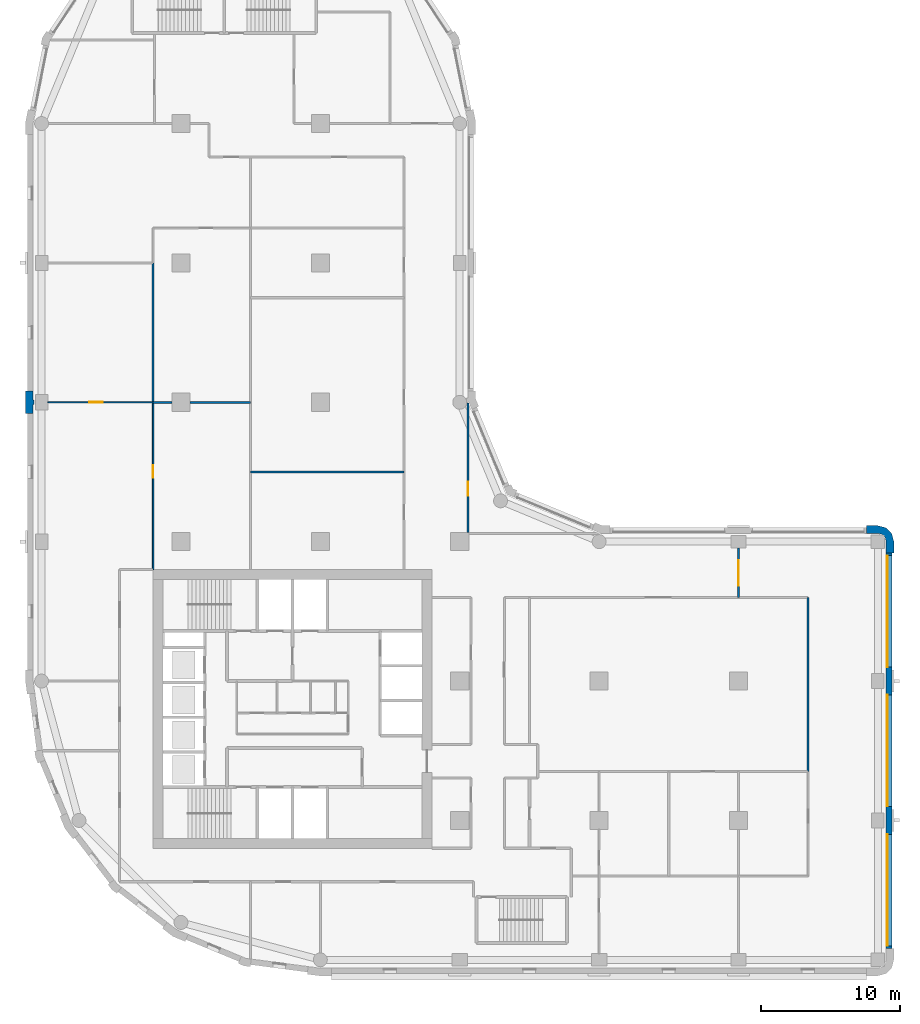
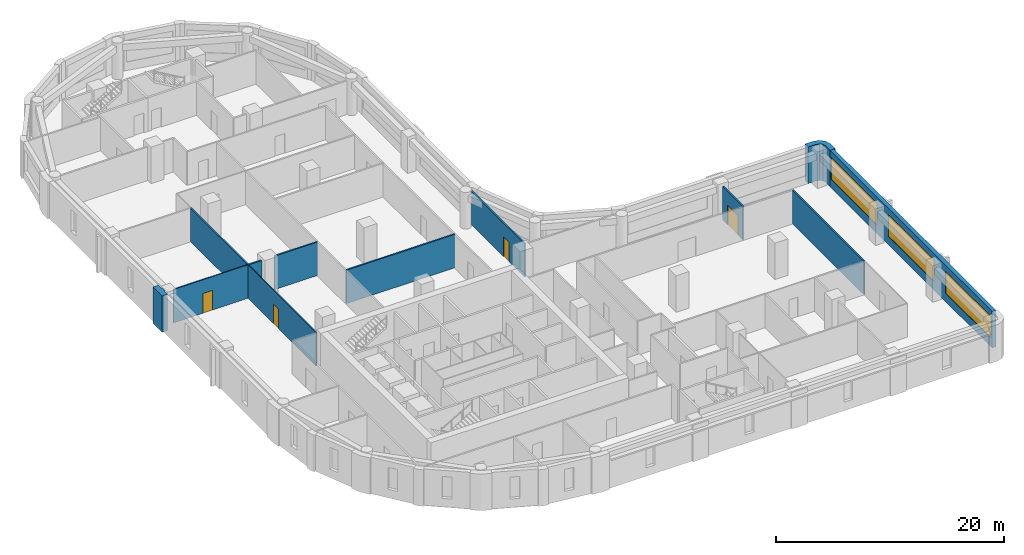
# One storey, part 5 of 10: 12 walls, 4 doors, 3 windows, 7 openings.
"""IFC4 building model written with IfcOpenShell, lengths in metres."""

from ifc_helpers import new_model, si_unit, direction, frame, frame_2d, origin, place, context, subcontext, project, spatial, polyline, rectangle, outline, extrude, material, layer, layer_set, type_object, element, fill, save


model = new_model("IFC4")

# Units and contexts
model_context = context("Model", 3, precision=1e-05, world=origin(), true_north=direction((0.0, 1.0)))
body_context = subcontext(model_context, "Body", "Model", "MODEL_VIEW")
ifc_project = project(units=[si_unit("LENGTHUNIT", "METRE"), si_unit("AREAUNIT", "SQUARE_METRE"), si_unit("VOLUMEUNIT", "CUBIC_METRE"), si_unit("PLANEANGLEUNIT", "RADIAN"), si_unit("MASSUNIT", "GRAM", prefix="KILO")], contexts=[model_context])

# Site, building, storey
site_placement = place(None, origin())
site = spatial("IfcSite", under=ifc_project, at=site_placement, CompositionType="ELEMENT")
building_placement = place(site_placement, origin())
building = spatial("IfcBuilding", under=site, at=building_placement, Name="Qaws Garden Tower", CompositionType="ELEMENT")
storey_placement = place(building_placement, frame((0.0, 0.0, 201.89990234375)))
storey = spatial("IfcBuildingStorey", under=building, at=storey_placement, Name="L49", CompositionType="ELEMENT", Elevation=201.89990234375)

# Wall
ifc_material_1 = material(Name="Clay facing brick masonry", Category="masonry")
ifc_layer_1 = layer(ifc_material_1, 0.550048828125)
ifc_layer_set_1 = layer_set([ifc_layer_1], Name="Clay facing brick masonry")
wall_type_1 = type_object("IfcWallType", Name="Brick corner pier 550 x 2400", PredefinedType="SOLIDWALL", material=ifc_layer_set_1)
placement = place(storey_placement, origin())
element("IfcWall", 1, at=placement, inside=storey, type_object=wall_type_1, Name="E-L49-pier-07", PredefinedType="SOLIDWALL", context=body_context, shape_type="SweptSolid", body=[
    extrude(outline(polyline([(61.0, 29.199951171875), (61.14990234375, 29.199951171875), (61.14990234375, 30.0), (60.995849609375, 30.574951171875), (60.574951171875, 30.995849609375), (60.0, 31.14990234375), (59.199951171875, 31.14990234375), (59.199951171875, 31.0), (59.199951171875, 30.60009765625), (60.0, 30.60009765625), (60.300048828125, 30.51953125), (60.51953125, 30.300048828125), (60.60009765625, 30.0), (60.60009765625, 29.199951171875), (61.0, 29.199951171875)])), origin(), (0.0, 0.0, 1.0), 3.900146484375),
])

# Wall, openings, windows
ifc_material_2 = material(Name="Clay facing brick masonry", Category="masonry")
ifc_layer_2 = layer(ifc_material_2, 0.39990234375)
ifc_layer_set_2 = layer_set([ifc_layer_2], Name="Clay facing brick masonry")
wall_type_2 = type_object("IfcWallType", Name="Brick infill wall 400", PredefinedType="SOLIDWALL", material=ifc_layer_set_2)
wall_2_placement = place(storey_placement, frame((60.800048828125, 0.800048828125, 0.0), z_axis=(0.0, 0.0, 1.0), x_axis=(0.0, 1.0, 0.0)))
wall_2 = element("IfcWall", 2, at=wall_2_placement, inside=storey, type_object=wall_type_2, Name="E-L49-infill-04", PredefinedType="SOLIDWALL", context=body_context, shape_type="SweptSolid", body=[
    extrude(rectangle(XDim=28.39990234375, YDim=0.39990234375, at=frame_2d((14.199951171875, 0.0))), origin(), (0.0, 0.0, 1.0), 3.900146484375),
])
opening_1_placement = place(wall_2_placement, frame((0.199951171875, 0.0, 0.89990234375)))
opening_1 = element("IfcOpeningElement", 3, at=opening_1_placement, cuts=wall_2, Name="Opening W01", PredefinedType="OPENING", context=body_context, shape_type="SweptSolid", body=[
    extrude(rectangle(XDim=8.0, YDim=2.35009765625, at=frame_2d((4.0, 1.175048828125))), frame((0.0, 0.2099609375, 0.0), z_axis=(0.0, -1.0, 0.0), x_axis=(1.0, 0.0, 0.0)), (0.0, 0.0, 1.0), 0.419921875),
])
opening_2_placement = place(wall_2_placement, frame((10.199951171875, 0.0, 0.89990234375)))
opening_2 = element("IfcOpeningElement", 4, at=opening_2_placement, cuts=wall_2, Name="Opening W01", PredefinedType="OPENING", context=body_context, shape_type="SweptSolid", body=[
    extrude(rectangle(XDim=8.0, YDim=2.35009765625, at=frame_2d((4.0, 1.175048828125))), frame((0.0, 0.2099609375, 0.0), z_axis=(0.0, -1.0, 0.0), x_axis=(1.0, 0.0, 0.0)), (0.0, 0.0, 1.0), 0.419921875),
])
opening_3_placement = place(wall_2_placement, frame((20.199951171875, 0.0, 0.89990234375)))
opening_3 = element("IfcOpeningElement", 5, at=opening_3_placement, cuts=wall_2, Name="Opening W01", PredefinedType="OPENING", context=body_context, shape_type="SweptSolid", body=[
    extrude(rectangle(XDim=8.0, YDim=2.35009765625, at=frame_2d((4.0, 1.175048828125))), frame((0.0, 0.2099609375, 0.0), z_axis=(0.0, -1.0, 0.0), x_axis=(1.0, 0.0, 0.0)), (0.0, 0.0, 1.0), 0.419921875),
])
ifc_material_3 = material(Name="Aluminium framed window, clear glazing", Category="aluminium")
window_type = type_object("IfcWindowType", Name="Ribbon window 8000 x 2350", PartitioningType="DOUBLE_PANEL_VERTICAL", PredefinedType="WINDOW", material=ifc_material_3)
window_1_placement = place(opening_1_placement, origin())
window_1 = element("IfcWindow", 6, at=window_1_placement, inside=storey, type_object=window_type, Name="E-L49-window-04-0", OverallHeight=2.35009765625, OverallWidth=8.0, PartitioningType="SINGLE_PANEL", PredefinedType="WINDOW", context=body_context, shape_type="SweptSolid", body=[
    extrude(rectangle(XDim=8.0, YDim=2.35009765625, at=frame_2d((4.0, 1.175048828125))), frame((0.0, 0.159912109375, 0.0), z_axis=(0.0, -1.0, 0.0), x_axis=(1.0, 0.0, 0.0)), (0.0, 0.0, 1.0), 0.06005859375),
])
fill(opening_1, window_1)
window_2_placement = place(opening_2_placement, origin())
window_2 = element("IfcWindow", 7, at=window_2_placement, inside=storey, type_object=window_type, Name="E-L49-window-05-0", OverallHeight=2.35009765625, OverallWidth=8.0, PartitioningType="SINGLE_PANEL", PredefinedType="WINDOW", context=body_context, shape_type="SweptSolid", body=[
    extrude(rectangle(XDim=8.0, YDim=2.35009765625, at=frame_2d((4.0, 1.175048828125))), frame((0.0, 0.159912109375, 0.0), z_axis=(0.0, -1.0, 0.0), x_axis=(1.0, 0.0, 0.0)), (0.0, 0.0, 1.0), 0.06005859375),
])
fill(opening_2, window_2)
window_3_placement = place(opening_3_placement, origin())
window_3 = element("IfcWindow", 8, at=window_3_placement, inside=storey, type_object=window_type, Name="E-L49-window-06-0", OverallHeight=2.35009765625, OverallWidth=8.0, PartitioningType="SINGLE_PANEL", PredefinedType="WINDOW", context=body_context, shape_type="SweptSolid", body=[
    extrude(rectangle(XDim=8.0, YDim=2.35009765625, at=frame_2d((4.0, 1.175048828125))), frame((0.0, 0.159912109375, 0.0), z_axis=(0.0, -1.0, 0.0), x_axis=(1.0, 0.0, 0.0)), (0.0, 0.0, 1.0), 0.06005859375),
])
fill(opening_3, window_3)

# Wall
ifc_material_4 = material(Name="Clay facing brick masonry", Category="masonry")
ifc_layer_3 = layer(ifc_material_4, 0.550048828125)
ifc_layer_set_3 = layer_set([ifc_layer_3], Name="Clay facing brick masonry")
wall_type_3 = type_object("IfcWallType", Name="Brick pier 550 x 1600", PredefinedType="SOLIDWALL", material=ifc_layer_set_3)
element("IfcWall", 9, at=placement, inside=storey, type_object=wall_type_3, Name="E-L49-pier-23", PredefinedType="SOLIDWALL", context=body_context, shape_type="SweptSolid", body=[
    extrude(outline(polyline([(-0.60009765625, 39.199951171875), (-0.60009765625, 39.85009765625), (-0.550048828125, 39.85009765625), (-0.550048828125, 40.14990234375), (-0.60009765625, 40.14990234375), (-0.60009765625, 40.800048828125), (-1.0, 40.800048828125), (-1.14990234375, 40.800048828125), (-1.14990234375, 40.0), (-1.14990234375, 39.199951171875), (-1.0, 39.199951171875), (-0.60009765625, 39.199951171875)])), origin(), (0.0, 0.0, 1.0), 3.900146484375),
])

# Wall, opening, door
ifc_material_5 = material(Name="Gypsum board partition")
ifc_layer_4 = layer(ifc_material_5, 0.10009765625)
ifc_layer_set_4 = layer_set([ifc_layer_4], Name="Gypsum board partition")
wall_type_4 = type_object("IfcWallType", Name="PARTITION 100", PredefinedType="PARTITIONING", material=ifc_layer_set_4)
wall_4_placement = place(storey_placement, frame((8.0, 28.0, 0.0), z_axis=(0.0, 0.0, 1.0), x_axis=(0.0, 1.0, 0.0)))
wall_4 = element("IfcWall", 10, at=wall_4_placement, inside=storey, type_object=wall_type_4, Name="O-L49-wall-001", PredefinedType="PARTITIONING", context=body_context, shape_type="SweptSolid", body=[
    extrude(rectangle(XDim=12.0, YDim=0.10009765625, at=frame_2d((6.0, 0.0))), origin(), (0.0, 0.0, 1.0), 3.580078125),
])
opening_4_placement = place(wall_4_placement, frame((6.60009765625, 0.0, 0.0)))
opening_4 = element("IfcOpeningElement", 11, at=opening_4_placement, cuts=wall_4, Name="Opening B726", PredefinedType="OPENING", context=body_context, shape_type="SweptSolid", body=[
    extrude(rectangle(XDim=0.89990234375, YDim=2.10009765625, at=frame_2d((0.449951171875, 1.050048828125))), frame((0.0, 0.06005859375, 0.0), z_axis=(0.0, -1.0, 0.0), x_axis=(1.0, 0.0, 0.0)), (0.0, 0.0, 1.0), 0.1201171875),
])
ifc_material_6 = material(Name="Timber door leaf", Category="wood")
door_type_1 = type_object("IfcDoorType", Name="OFFICE DOOR 900 X 2100", OperationType="SINGLE_SWING_LEFT", PredefinedType="DOOR", material=ifc_material_6)
door_1_placement = place(opening_4_placement, frame((0.89990234375, 0.0, 0.0), z_axis=(0.0, 0.0, 1.0), x_axis=(-1.0, 0.0, 0.0)))
door_1 = element("IfcDoor", 12, at=door_1_placement, inside=storey, type_object=door_type_1, Name="O-L49-door-026", OperationType="SINGLE_SWING_RIGHT", OverallHeight=2.10009765625, OverallWidth=0.89990234375, PredefinedType="DOOR", context=body_context, shape_type="SweptSolid", body=[
    extrude(rectangle(XDim=0.89990234375, YDim=2.10009765625, at=frame_2d((0.449951171875, 1.050048828125))), frame((0.0, 0.02490234375, 0.0), z_axis=(0.0, -1.0, 0.0), x_axis=(1.0, 0.0, 0.0)), (0.0, 0.0, 1.0), 0.050048828125),
])
fill(opening_4, door_1)

wall_5_placement = place(storey_placement, frame((0.449951171875, 40.0, 0.0), z_axis=(0.0, 0.0, 1.0), x_axis=(1.0, 0.0, 0.0)))
wall_5 = element("IfcWall", 13, at=wall_5_placement, inside=storey, type_object=wall_type_4, Name="O-L49-wall-008", PredefinedType="PARTITIONING", context=body_context, shape_type="SweptSolid", body=[
    extrude(rectangle(XDim=7.550048828125, YDim=0.10009765625, at=frame_2d((3.77490234375, 0.0))), origin(), (0.0, 0.0, 1.0), 3.580078125),
])
opening_5_placement = place(wall_5_placement, frame((2.97509765625, 0.0, 0.0)))
opening_5 = element("IfcOpeningElement", 14, at=opening_5_placement, cuts=wall_5, Name="Opening B728", PredefinedType="OPENING", context=body_context, shape_type="SweptSolid", body=[
    extrude(rectangle(XDim=0.949951171875, YDim=2.10009765625, at=frame_2d((0.47509765625, 1.050048828125))), frame((0.0, 0.06005859375, 0.0), z_axis=(0.0, -1.0, 0.0), x_axis=(1.0, 0.0, 0.0)), (0.0, 0.0, 1.0), 0.1201171875),
])
ifc_material_7 = material(Name="Timber and glass door leaf", Category="wood")
door_type_2 = type_object("IfcDoorType", Name="GLAZED DOOR 950 X 2100", OperationType="SINGLE_SWING_LEFT", PredefinedType="DOOR", material=ifc_material_7)
door_2_placement = place(opening_5_placement, origin())
door_2 = element("IfcDoor", 15, at=door_2_placement, inside=storey, type_object=door_type_2, Name="O-L49-door-028", OperationType="SINGLE_SWING_RIGHT", OverallHeight=2.10009765625, OverallWidth=0.949951171875, PredefinedType="DOOR", context=body_context, shape_type="SweptSolid", body=[
    extrude(rectangle(XDim=0.949951171875, YDim=2.10009765625, at=frame_2d((0.47509765625, 1.050048828125))), frame((0.0, 0.02490234375, 0.0), z_axis=(0.0, -1.0, 0.0), x_axis=(1.0, 0.0, 0.0)), (0.0, 0.0, 1.0), 0.050048828125),
])
fill(opening_5, door_2)

# Wall
ifc_material_8 = material(Name="Gypsum board partition")
ifc_layer_5 = layer(ifc_material_8, 0.14990234375)
ifc_layer_set_5 = layer_set([ifc_layer_5], Name="Gypsum board partition")
wall_type_5 = type_object("IfcWallType", Name="PARTITION 150 EI 60", PredefinedType="PARTITIONING", material=ifc_layer_set_5)
wall_6_placement = place(storey_placement, frame((8.0, 40.0, 0.0), z_axis=(0.0, 0.0, 1.0), x_axis=(0.0, 1.0, 0.0)))
element("IfcWall", 16, at=wall_6_placement, inside=storey, type_object=wall_type_5, Name="O-L49-wall-011", PredefinedType="PARTITIONING", context=body_context, shape_type="SweptSolid", body=[
    extrude(rectangle(XDim=10.0, YDim=0.14990234375, at=frame_2d((5.0, 0.0))), origin(), (0.0, 0.0, 1.0), 3.580078125),
])

# Wall, opening, door
wall_7_placement = place(storey_placement, frame((30.60009765625, 30.64990234375, 0.0), z_axis=(0.0, 0.0, 1.0), x_axis=(0.0, 1.0, 0.0)))
wall_7 = element("IfcWall", 17, at=wall_7_placement, inside=storey, type_object=wall_type_5, Name="O-L49-wall-020", PredefinedType="PARTITIONING", context=body_context, shape_type="SweptSolid", body=[
    extrude(rectangle(XDim=9.288330078125, YDim=0.14990234375, at=frame_2d((4.64404296875, 0.0))), origin(), (0.0, 0.0, 1.0), 3.580078125),
])
opening_6_placement = place(wall_7_placement, frame((2.64990234375, 0.0, 0.0)))
opening_6 = element("IfcOpeningElement", 18, at=opening_6_placement, cuts=wall_7, Name="Opening B715", PredefinedType="OPENING", context=body_context, shape_type="SweptSolid", body=[
    extrude(rectangle(XDim=1.0, YDim=2.10009765625, at=frame_2d((0.5, 1.050048828125))), frame((0.0, 0.0849609375, 0.0), z_axis=(0.0, -1.0, 0.0), x_axis=(1.0, 0.0, 0.0)), (0.0, 0.0, 1.0), 0.169921875),
])
ifc_material_9 = material(Name="Timber door leaf", Category="wood")
door_type_3 = type_object("IfcDoorType", Name="TENANCY ENTRANCE DOOR 1000 X 2100", OperationType="SINGLE_SWING_LEFT", PredefinedType="DOOR", material=ifc_material_9)
door_3_placement = place(opening_6_placement, frame((1.0, 0.0, 0.0), z_axis=(0.0, 0.0, 1.0), x_axis=(-1.0, 0.0, 0.0)))
door_3 = element("IfcDoor", 19, at=door_3_placement, inside=storey, type_object=door_type_3, Name="O-L49-door-015", OperationType="SINGLE_SWING_LEFT", OverallHeight=2.10009765625, OverallWidth=1.0, PredefinedType="DOOR", context=body_context, shape_type="SweptSolid", body=[
    extrude(rectangle(XDim=1.0, YDim=2.10009765625, at=frame_2d((0.5, 1.050048828125))), frame((0.0, 0.02490234375, 0.0), z_axis=(0.0, -1.0, 0.0), x_axis=(1.0, 0.0, 0.0)), (0.0, 0.0, 1.0), 0.050048828125),
])
fill(opening_6, door_3)

wall_8_placement = place(storey_placement, frame((50.0, 26.0, 0.0), z_axis=(0.0, 0.0, 1.0), x_axis=(0.0, 1.0, 0.0)))
wall_8 = element("IfcWall", 20, at=wall_8_placement, inside=storey, type_object=wall_type_5, Name="O-L49-wall-032", PredefinedType="PARTITIONING", context=body_context, shape_type="SweptSolid", body=[
    extrude(rectangle(XDim=3.550048828125, YDim=0.14990234375, at=frame_2d((1.77490234375, 0.0))), origin(), (0.0, 0.0, 1.0), 3.580078125),
])
opening_7_placement = place(wall_8_placement, frame((0.85009765625, 0.0, 0.0)))
opening_7 = element("IfcOpeningElement", 21, at=opening_7_placement, cuts=wall_8, Name="Opening B704", PredefinedType="OPENING", context=body_context, shape_type="SweptSolid", body=[
    extrude(rectangle(XDim=1.800048828125, YDim=2.10009765625, at=frame_2d((0.89990234375, 1.050048828125))), frame((0.0, 0.0849609375, 0.0), z_axis=(0.0, -1.0, 0.0), x_axis=(1.0, 0.0, 0.0)), (0.0, 0.0, 1.0), 0.169921875),
])
ifc_material_10 = material(Name="Timber door leaf", Category="wood")
door_type_4 = type_object("IfcDoorType", Name="DOUBLE DOOR 1800 X 2100", OperationType="DOUBLE_DOOR_SINGLE_SWING", PredefinedType="DOOR", material=ifc_material_10)
door_4_placement = place(opening_7_placement, frame((1.800048828125, 0.0, 0.0), z_axis=(0.0, 0.0, 1.0), x_axis=(-1.0, 0.0, 0.0)))
door_4 = element("IfcDoor", 22, at=door_4_placement, inside=storey, type_object=door_type_4, Name="O-L49-door-004", OperationType="DOUBLE_DOOR_SINGLE_SWING", OverallHeight=2.10009765625, OverallWidth=1.800048828125, PredefinedType="DOOR", context=body_context, shape_type="SweptSolid", body=[
    extrude(rectangle(XDim=1.800048828125, YDim=2.10009765625, at=frame_2d((0.89990234375, 1.050048828125))), frame((0.0, 0.02490234375, 0.0), z_axis=(0.0, -1.0, 0.0), x_axis=(1.0, 0.0, 0.0)), (0.0, 0.0, 1.0), 0.050048828125),
])
fill(opening_7, door_4)

# Walls
wall_9_placement = place(storey_placement, frame((55.0, 13.5, 0.0), z_axis=(0.0, 0.0, 1.0), x_axis=(0.0, 1.0, 0.0)))
element("IfcWall", 23, at=wall_9_placement, inside=storey, type_object=wall_type_5, Name="O-L49-wall-033", PredefinedType="PARTITIONING", context=body_context, shape_type="SweptSolid", body=[
    extrude(rectangle(XDim=12.5, YDim=0.14990234375, at=frame_2d((6.25, 0.0))), origin(), (0.0, 0.0, 1.0), 3.580078125),
])
wall_10_placement = place(storey_placement, frame((15.0, 35.0, 0.0), z_axis=(0.0, 0.0, 1.0), x_axis=(1.0, 0.0, 0.0)))
element("IfcWall", 24, at=wall_10_placement, inside=storey, type_object=wall_type_5, Name="O-L49-wall-050", PredefinedType="PARTITIONING", context=body_context, shape_type="SweptSolid", body=[
    extrude(rectangle(XDim=11.0, YDim=0.14990234375, at=frame_2d((5.5, 0.0))), origin(), (0.0, 0.0, 1.0), 3.580078125),
])
wall_11_placement = place(storey_placement, frame((8.0, 40.0, 0.0), z_axis=(0.0, 0.0, 1.0), x_axis=(1.0, 0.0, 0.0)))
element("IfcWall", 25, at=wall_11_placement, inside=storey, type_object=wall_type_5, Name="O-L49-wall-051", PredefinedType="PARTITIONING", context=body_context, shape_type="SweptSolid", body=[
    extrude(rectangle(XDim=1.35009765625, YDim=0.14990234375, at=frame_2d((0.675048828125, 0.0))), origin(), (0.0, 0.0, 1.0), 3.580078125),
])
wall_12_placement = place(storey_placement, frame((10.64990234375, 40.0, 0.0), z_axis=(0.0, 0.0, 1.0), x_axis=(1.0, 0.0, 0.0)))
element("IfcWall", 26, at=wall_12_placement, inside=storey, type_object=wall_type_5, Name="O-L49-wall-052", PredefinedType="PARTITIONING", context=body_context, shape_type="SweptSolid", body=[
    extrude(rectangle(XDim=4.35009765625, YDim=0.14990234375, at=frame_2d((2.175048828125, 0.0))), origin(), (0.0, 0.0, 1.0), 3.580078125),
])

save(model, "model.ifc")
